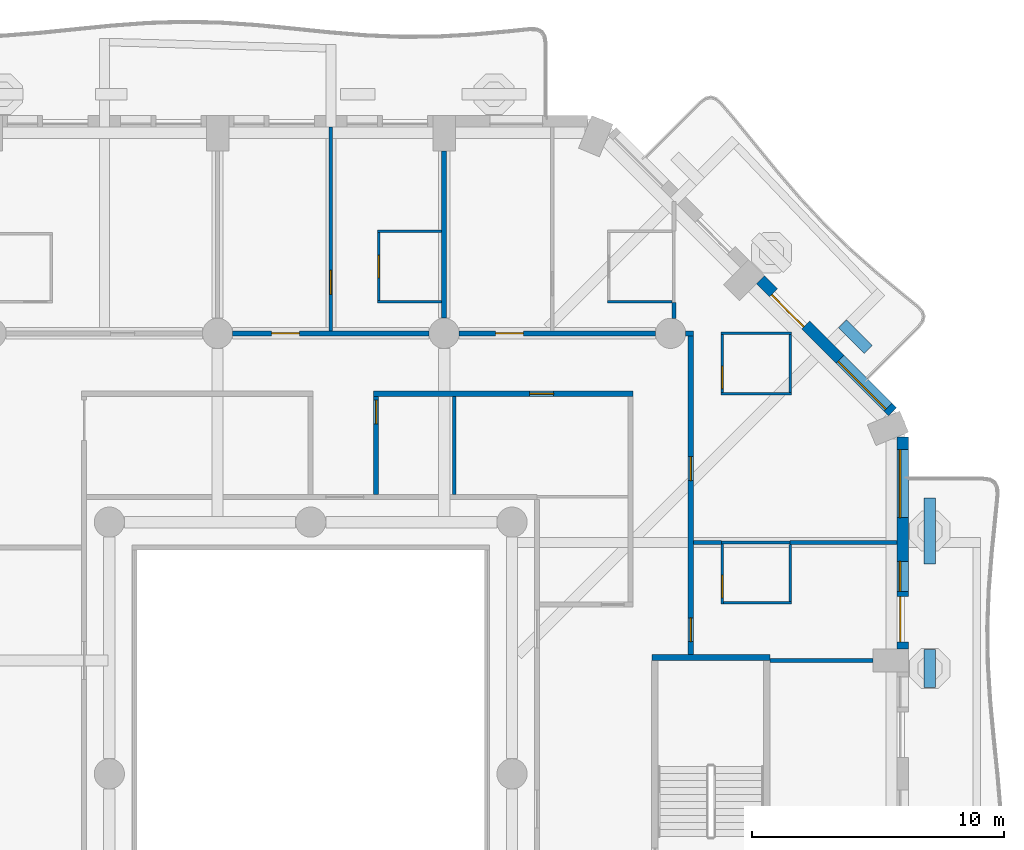
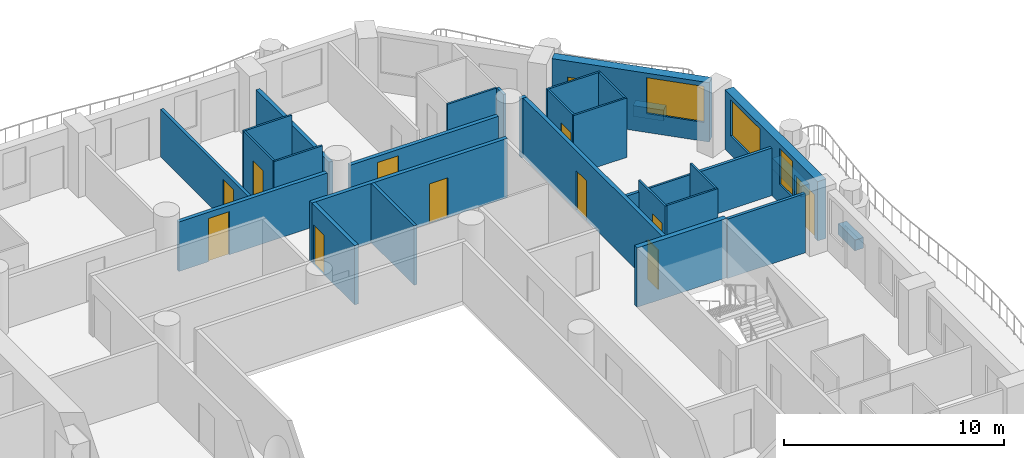
# One storey, part 9 of 20: 31 walls, 12 doors, 3 windows, 15 openings.
"""IFC4 building model written with IfcOpenShell, lengths in metres."""

import ifcopenshell
import ifcopenshell.guid

model = None  # the IFC model being written
_history = None  # IfcOwnerHistory: only IFC2X3 demands one
_inside = {}  # id of a spatial element -> (the spatial element, [elements in it])
_under = {}  # id of a project, library or spatial element -> (it, [spatial elements below it])
_declared = {}  # id of a project -> (the project, [libraries it declares])
_typed = {}  # id of a type object -> (the type object, [elements of that type])
_made_of = {}  # id of a material, layer set ... -> (it, [elements and type objects made of it])


def new_model(schema):
    """Start an empty IFC model of exactly this schema.

    Asked for "IFC4X3", IfcOpenShell would pick the latest addendum, in which some entities
    have other attributes; the version numbers below select the first issue.
    IFC2X3 requires an IfcOwnerHistory on every rooted entity: one is made here for all.
    """
    global model, _history
    if schema == "IFC4X3":
        model = ifcopenshell.file(schema_version=(4, 3, 0, 0))
    else:
        model = ifcopenshell.file(schema=schema)
    _inside.clear()
    _under.clear()
    _declared.clear()
    _typed.clear()
    _made_of.clear()
    _history = None
    if model.schema == "IFC2X3":
        org = make("IfcOrganization", Name="unknown")
        user = make(
            "IfcPersonAndOrganization",
            ThePerson=make("IfcPerson", FamilyName="unknown"),
            TheOrganization=org,
        )
        app = make(
            "IfcApplication",
            ApplicationDeveloper=org,
            Version="unknown",
            ApplicationFullName="unknown",
            ApplicationIdentifier="unknown",
        )
        _history = make(
            "IfcOwnerHistory",
            OwningUser=user,
            OwningApplication=app,
            ChangeAction="ADDED",
            CreationDate=0,
        )
    return model


def make(cls, **values):
    """One entity of the class cls with the attributes given. An attribute that is None is left unset."""
    return model.create_entity(
        cls, **{name: value for name, value in values.items() if value is not None}
    )


def rooted(cls, **values):
    """An entity with a GlobalId (a new one), such as an element, a storey or a relation."""
    return make(cls, GlobalId=ifcopenshell.guid.new(), OwnerHistory=_history, **values)


def si_unit(unit_type, name, prefix=None):
    """IfcSIUnit, for example si_unit("LENGTHUNIT", "METRE", prefix="MILLI")."""
    return make("IfcSIUnit", UnitType=unit_type, Prefix=prefix, Name=name)


def assignment(units):
    """IfcUnitAssignment: the units of a project."""
    return None if units is None else make("IfcUnitAssignment", Units=units)


def point(xyz):
    """IfcCartesianPoint."""
    return None if xyz is None else make("IfcCartesianPoint", Coordinates=xyz)


def direction(xyz):
    """IfcDirection."""
    return None if xyz is None else make("IfcDirection", DirectionRatios=xyz)


def frame(location, z_axis=None, x_axis=None):
    """IfcAxis2Placement3D, a coordinate frame: its origin and axes. An axis left out is left unset."""
    return make(
        "IfcAxis2Placement3D",
        Location=point(location),
        Axis=direction(z_axis),
        RefDirection=direction(x_axis),
    )


def frame_2d(location, x_axis=None):
    """IfcAxis2Placement2D, a coordinate frame in the plane: its origin and x axis."""
    return make(
        "IfcAxis2Placement2D", Location=point(location), RefDirection=direction(x_axis)
    )


def origin():
    """The frame at (0, 0, 0) with its axes left unset."""
    return frame((0.0, 0.0, 0.0))


def place(relative_to, where):
    """IfcLocalPlacement: puts the frame where relative to a parent placement (None: the world)."""
    return make(
        "IfcLocalPlacement", PlacementRelTo=relative_to, RelativePlacement=where
    )


def context(
    kind, dimensions, precision=None, world=None, true_north=None, identifier=None
):
    """IfcGeometricRepresentationContext, for example the 3D "Model" context."""
    return make(
        "IfcGeometricRepresentationContext",
        ContextIdentifier=identifier,
        ContextType=kind,
        CoordinateSpaceDimension=dimensions,
        Precision=precision,
        WorldCoordinateSystem=world,
        TrueNorth=true_north,
    )


def subcontext(parent, identifier, kind, view, scale=None):
    """IfcGeometricRepresentationSubContext, for example "Body" below "Model"."""
    return make(
        "IfcGeometricRepresentationSubContext",
        ContextIdentifier=identifier,
        ContextType=kind,
        ParentContext=parent,
        TargetScale=scale,
        TargetView=view,
    )


def project(units=None, contexts=None):
    """IfcProject with its units and contexts."""
    return rooted(
        "IfcProject",
        Name="project",
        RepresentationContexts=contexts,
        UnitsInContext=assignment(units),
    )


def spatial(cls, under=None, at=None, **own):
    """A site, building, storey or space (cls), placed at a placement, below another one or the project."""
    s = rooted(cls, ObjectPlacement=at, **own)
    if under is not None:
        _under.setdefault(under.id(), (under, []))[1].append(s)
    return s


def profile(cls, at=None, kind="AREA", **sizes):
    """A parametric profile (cls). Its sizes go by their IFC names, for example OverallWidth=200.0."""
    return make(cls, ProfileType=kind, Position=at, **sizes)


def rectangle(**sizes):
    """IfcRectangleProfileDef."""
    return profile("IfcRectangleProfileDef", **sizes)


def extrude(swept, where, along, depth):
    """IfcExtrudedAreaSolid: the profile swept, set in the frame where, extruded along a direction by depth."""
    return make(
        "IfcExtrudedAreaSolid",
        SweptArea=swept,
        Position=where,
        ExtrudedDirection=direction(along),
        Depth=depth,
    )


def shape(context_of_items, identifier, shape_type, items):
    """IfcShapeRepresentation: the items that make up one representation, for example the "Body"."""
    return make(
        "IfcShapeRepresentation",
        ContextOfItems=context_of_items,
        RepresentationIdentifier=identifier,
        RepresentationType=shape_type,
        Items=items,
    )


def material(Name=None, Category=None):
    """IfcMaterial."""
    return make("IfcMaterial", Name=Name, Category=Category)


def layer(
    of_material, thickness, ventilated=None, Name=None, Category=None, Priority=None
):
    """IfcMaterialLayer: one layer of a wall or slab, of a material (None: an air gap)."""
    return make(
        "IfcMaterialLayer",
        Material=of_material,
        LayerThickness=thickness,
        IsVentilated=ventilated,
        Name=Name,
        Category=Category,
        Priority=Priority,
    )


def layer_set(layers, Name=None):
    """IfcMaterialLayerSet."""
    return make("IfcMaterialLayerSet", MaterialLayers=layers, LayerSetName=Name)


def made_of(thing, what):
    """Note that an element or type object is made of a material, layer set ...; save() writes the relation."""
    if what is not None:
        _made_of.setdefault(what.id(), (what, []))[1].append(thing)
    return thing


def type_object(cls, material=None, **own):
    """A type object (cls), such as IfcWallType, which elements share."""
    return made_of(rooted(cls, **own), material)


def element(
    cls,
    number,
    at=None,
    inside=None,
    cuts=None,
    type_object=None,
    material=None,
    context=None,
    identifier="Body",
    shape_type=None,
    held_by="IfcProductDefinitionShape",
    body=None,
    shapes=None,
    **own,
):
    """One element of the class cls, such as IfcWall. Its Tag is "e" and its number.

    at: its placement. inside: the storey or other place that contains it. cuts: it is an
    opening in that element (IfcRelVoidsElement). A single representation is given by context,
    identifier, shape_type and body (its items); several are given by shapes. held_by: the class
    of the entity that holds the representations. save() writes the other relations.
    """
    e = rooted(cls, Tag="e%d" % number, ObjectPlacement=at, **own)
    if body is not None:
        shapes = [shape(context, identifier, shape_type, body)]
    if shapes is not None:
        e.Representation = make(held_by, Representations=shapes)
    if inside is not None:
        _inside.setdefault(inside.id(), (inside, []))[1].append(e)
    if cuts is not None:
        rooted(
            "IfcRelVoidsElement", RelatingBuildingElement=cuts, RelatedOpeningElement=e
        )
    if type_object is not None:
        _typed.setdefault(type_object.id(), (type_object, []))[1].append(e)
    return made_of(e, material)


def fill(opening, filler):
    """IfcRelFillsElement: the door or window that sits in an opening."""
    return rooted(
        "IfcRelFillsElement",
        RelatingOpeningElement=opening,
        RelatedBuildingElement=filler,
    )


def aggregate(whole, parts):
    """IfcRelAggregates: a whole, such as a stair, and the parts it consists of."""
    return rooted("IfcRelAggregates", RelatingObject=whole, RelatedObjects=parts)


def save(model, path):
    """Write the relations noted so far, then the file.

    IfcRelAggregates (storeys below a building ...), IfcRelContainedInSpatialStructure (elements
    in a storey), IfcRelDefinesByType, IfcRelAssociatesMaterial and IfcRelDeclares: one each for
    every whole, place, type object, material and project.
    """
    for whole, parts in _under.values():
        aggregate(whole, parts)
    for where, things in _inside.values():
        rooted(
            "IfcRelContainedInSpatialStructure",
            RelatedElements=things,
            RelatingStructure=where,
        )
    for kind, things in _typed.values():
        rooted("IfcRelDefinesByType", RelatedObjects=things, RelatingType=kind)
    for what, things in _made_of.values():
        rooted("IfcRelAssociatesMaterial", RelatedObjects=things, RelatingMaterial=what)
    for by, libraries in _declared.values():
        rooted("IfcRelDeclares", RelatingContext=by, RelatedDefinitions=libraries)
    model.write(path)


model = new_model("IFC4")

# Units and contexts
model_context = context("Model", 3, precision=1e-05, world=origin(), true_north=direction((0.0, 1.0)))
body_context = subcontext(model_context, "Body", "Model", "MODEL_VIEW")
ifc_project = project(units=[si_unit("LENGTHUNIT", "METRE"), si_unit("AREAUNIT", "SQUARE_METRE"), si_unit("VOLUMEUNIT", "CUBIC_METRE"), si_unit("PLANEANGLEUNIT", "RADIAN"), si_unit("MASSUNIT", "GRAM", prefix="KILO")], contexts=[model_context])

# Site, building, storey
site_placement = place(None, origin())
site = spatial("IfcSite", under=ifc_project, at=site_placement, CompositionType="ELEMENT")
building_placement = place(site_placement, origin())
building = spatial("IfcBuilding", under=site, at=building_placement, Name="Cypress Arch Tower", CompositionType="ELEMENT")
storey_placement = place(building_placement, frame((0.0, 0.0, 80.699951171875)))
storey = spatial("IfcBuildingStorey", under=building, at=storey_placement, Name="L14", CompositionType="ELEMENT", Elevation=80.699951171875)

# Walls
ifc_material_1 = material(Name="Concrete C40/50, waterproofed", Category="concrete")
ifc_layer_1 = layer(ifc_material_1, 0.449951171875)
ifc_layer_set_1 = layer_set([ifc_layer_1], Name="Balcony planter wall PW450")
wall_type_1 = type_object("IfcWallType", Name="Balcony planter wall PW450", PredefinedType="SOLIDWALL", material=ifc_layer_set_1)
wall_1_placement = place(storey_placement, frame((25.60009765625, 3.42138671875, 0.0), z_axis=(0.0, 0.0, 1.0), x_axis=(0.0, 1.0, 0.0)))
element("IfcWall", 1, at=wall_1_placement, inside=storey, type_object=wall_type_1, Name="Balcony planter wall L14-A06.2", PredefinedType="SOLIDWALL", context=body_context, shape_type="SweptSolid", body=[
    extrude(rectangle(XDim=1.5224609375, YDim=0.449951171875, at=frame_2d((0.76123046875, 0.0))), origin(), (0.0, 0.0, 1.0), 0.60009765625),
])
wall_2_placement = place(storey_placement, frame((25.60009765625, 8.335693359375, 0.0), z_axis=(0.0, 0.0, 1.0), x_axis=(0.0, 1.0, 0.0)))
element("IfcWall", 2, at=wall_2_placement, inside=storey, type_object=wall_type_1, Name="Balcony planter wall L14-A06.3", PredefinedType="SOLIDWALL", context=body_context, shape_type="SweptSolid", body=[
    extrude(rectangle(XDim=2.6142578125, YDim=0.449951171875, at=frame_2d((1.30712890625, 0.0))), origin(), (0.0, 0.0, 1.0), 0.60009765625),
])
wall_3_placement = place(storey_placement, frame((23.150390625, 16.86376953125, 0.0), z_axis=(0.0, 0.0, 1.0), x_axis=(-0.707106781187, 0.707106781187, 0.0)))
element("IfcWall", 3, at=wall_3_placement, inside=storey, type_object=wall_type_1, Name="Balcony planter wall L14-A07.1", PredefinedType="SOLIDWALL", context=body_context, shape_type="SweptSolid", body=[
    extrude(rectangle(XDim=1.44482421875, YDim=0.449951171875, at=frame_2d((0.722412109375, 0.0))), origin(), (0.0, 0.0, 1.0), 0.60009765625),
])

# Wall, openings, door, windows
ifc_material_2 = material(Name="Brick (red buff blend)", Category="masonry")
ifc_layer_2 = layer(ifc_material_2, 0.449951171875)
ifc_layer_set_2 = layer_set([ifc_layer_2], Name="Brick pier and spandrel wall BW450")
wall_type_2 = type_object("IfcWallType", Name="Brick pier and spandrel wall BW450", PredefinedType="SOLIDWALL", material=ifc_layer_set_2)
wall_4_placement = place(storey_placement, frame((24.52490234375, 4.949951171875, 0.0), z_axis=(0.0, 0.0, 1.0), x_axis=(0.0, 1.0, 0.0)))
wall_4 = element("IfcWall", 4, at=wall_4_placement, inside=storey, type_object=wall_type_2, Name="Brick wall L14 A06.3", PredefinedType="SOLIDWALL", context=body_context, shape_type="SweptSolid", body=[
    extrude(rectangle(XDim=8.438720703125, YDim=0.449951171875, at=frame_2d((4.21923828125, 0.0))), origin(), (0.0, 0.0, 1.0), 3.300048828125),
])
opening_1_placement = place(wall_4_placement, frame((0.2939453125, 0.0, 0.0)))
opening_1 = element("IfcOpeningElement", 5, at=opening_1_placement, cuts=wall_4, Name="Opening D-L14-A06.3.1", PredefinedType="OPENING", context=body_context, shape_type="SweptSolid", body=[
    extrude(rectangle(XDim=1.800048828125, YDim=2.39990234375, at=frame_2d((0.89990234375, 1.199951171875))), frame((0.0, 0.23486328125, 0.0), z_axis=(0.0, -1.0, 0.0), x_axis=(1.0, 0.0, 0.0)), (0.0, 0.0, 1.0), 0.469970703125),
])
opening_2_placement = place(wall_4_placement, frame((2.2939453125, 0.0, 1.050048828125)))
opening_2 = element("IfcOpeningElement", 6, at=opening_2_placement, cuts=wall_4, Name="Opening W120HD", PredefinedType="OPENING", context=body_context, shape_type="SweptSolid", body=[
    extrude(rectangle(XDim=1.199951171875, YDim=2.0, at=frame_2d((0.60009765625, 1.0))), frame((0.0, 0.23486328125, 0.0), z_axis=(0.0, -1.0, 0.0), x_axis=(1.0, 0.0, 0.0)), (0.0, 0.0, 1.0), 0.469970703125),
])
opening_3_placement = place(wall_4_placement, frame((5.231689453125, 0.0, 1.050048828125)))
opening_3 = element("IfcOpeningElement", 7, at=opening_3_placement, cuts=wall_4, Name="Opening W270HD", PredefinedType="OPENING", context=body_context, shape_type="SweptSolid", body=[
    extrude(rectangle(XDim=2.699951171875, YDim=2.0, at=frame_2d((1.35009765625, 1.0))), frame((0.0, 0.23486328125, 0.0), z_axis=(0.0, -1.0, 0.0), x_axis=(1.0, 0.0, 0.0)), (0.0, 0.0, 1.0), 0.469970703125),
])
ifc_material_3 = material(Name="Anodised aluminium, bronze finish, laminated low-emissivity double glazing, large-missile impact rated", Category="aluminium")
door_type_1 = type_object("IfcDoorType", Name="Balcony sliding door 1800x2400", OperationType="SLIDING_TO_LEFT", PredefinedType="DOOR", material=ifc_material_3)
door_1_placement = place(opening_1_placement, origin())
door_1 = element("IfcDoor", 8, at=door_1_placement, inside=storey, type_object=door_type_1, Name="Balcony door L14 A06.3.1", OperationType="SLIDING_TO_LEFT", OverallHeight=2.39990234375, OverallWidth=1.800048828125, PredefinedType="DOOR", context=body_context, shape_type="SweptSolid", body=[
    extrude(rectangle(XDim=1.800048828125, YDim=2.39990234375, at=frame_2d((0.89990234375, 1.199951171875))), frame((0.0, 0.1298828125, 0.0), z_axis=(0.0, -1.0, 0.0), x_axis=(1.0, 0.0, 0.0)), (0.0, 0.0, 1.0), 0.050048828125),
])
fill(opening_1, door_1)
ifc_material_4 = material(Name="Anodised aluminium, bronze finish, laminated low-emissivity double glazing, large-missile impact rated", Category="aluminium")
window_type_1 = type_object("IfcWindowType", Name="Window Hotel 1200x2000 debris-rated", PartitioningType="SINGLE_PANEL", PredefinedType="WINDOW", material=ifc_material_4)
window_1_placement = place(opening_2_placement, origin())
window_1 = element("IfcWindow", 9, at=window_1_placement, inside=storey, type_object=window_type_1, Name="Window L14 A06.3.1", OverallHeight=2.0, OverallWidth=1.199951171875, PartitioningType="SINGLE_PANEL", PredefinedType="WINDOW", context=body_context, shape_type="SweptSolid", body=[
    extrude(rectangle(XDim=1.199951171875, YDim=2.0, at=frame_2d((0.60009765625, 1.0))), frame((0.0, 0.135009765625, 0.0), z_axis=(0.0, -1.0, 0.0), x_axis=(1.0, 0.0, 0.0)), (0.0, 0.0, 1.0), 0.06005859375),
])
fill(opening_2, window_1)
ifc_material_5 = material(Name="Anodised aluminium, bronze finish, laminated low-emissivity double glazing, large-missile impact rated", Category="aluminium")
window_type_2 = type_object("IfcWindowType", Name="Window Hotel 2700x2000 debris-rated", PartitioningType="SINGLE_PANEL", PredefinedType="WINDOW", material=ifc_material_5)
window_2_placement = place(opening_3_placement, origin())
window_2 = element("IfcWindow", 10, at=window_2_placement, inside=storey, type_object=window_type_2, Name="Window L14 A06.3.2", OverallHeight=2.0, OverallWidth=2.699951171875, PartitioningType="SINGLE_PANEL", PredefinedType="WINDOW", context=body_context, shape_type="SweptSolid", body=[
    extrude(rectangle(XDim=2.699951171875, YDim=2.0, at=frame_2d((1.35009765625, 1.0))), frame((0.0, 0.135009765625, 0.0), z_axis=(0.0, -1.0, 0.0), x_axis=(1.0, 0.0, 0.0)), (0.0, 0.0, 1.0), 0.06005859375),
])
fill(opening_3, window_2)

# Wall, openings, door, window
wall_5_placement = place(storey_placement, frame((24.11474609375, 14.379150390625, 0.0), z_axis=(0.0, 0.0, 1.0), x_axis=(-0.707106781187, 0.707106781187, 0.0)))
wall_5 = element("IfcWall", 11, at=wall_5_placement, inside=storey, type_object=wall_type_2, Name="Brick wall L14 A07.0", PredefinedType="SOLIDWALL", context=body_context, shape_type="SweptSolid", body=[
    extrude(rectangle(XDim=7.423828125, YDim=0.449951171875, at=frame_2d((3.7119140625, 0.0))), origin(), (0.0, 0.0, 1.0), 3.300048828125),
])
opening_4_placement = place(wall_5_placement, frame((0.253173828125, 0.0, 1.050048828125)))
opening_4 = element("IfcOpeningElement", 12, at=opening_4_placement, cuts=wall_5, Name="Opening W270HD", PredefinedType="OPENING", context=body_context, shape_type="SweptSolid", body=[
    extrude(rectangle(XDim=2.699951171875, YDim=2.0, at=frame_2d((1.35009765625, 1.0))), frame((0.0, 0.23486328125, 0.0), z_axis=(0.0, -1.0, 0.0), x_axis=(1.0, 0.0, 0.0)), (0.0, 0.0, 1.0), 0.469970703125),
])
opening_5_placement = place(wall_5_placement, frame((4.8837890625, 0.0, 0.0)))
opening_5 = element("IfcOpeningElement", 13, at=opening_5_placement, cuts=wall_5, Name="Opening D-L14-A07.0.2", PredefinedType="OPENING", context=body_context, shape_type="SweptSolid", body=[
    extrude(rectangle(XDim=1.800048828125, YDim=2.39990234375, at=frame_2d((0.89990234375, 1.199951171875))), frame((0.0, 0.23486328125, 0.0), z_axis=(0.0, -1.0, 0.0), x_axis=(1.0, 0.0, 0.0)), (0.0, 0.0, 1.0), 0.469970703125),
])
door_2_placement = place(opening_5_placement, origin())
door_2 = element("IfcDoor", 14, at=door_2_placement, inside=storey, type_object=door_type_1, Name="Balcony door L14 A07.0.2", OperationType="SLIDING_TO_LEFT", OverallHeight=2.39990234375, OverallWidth=1.800048828125, PredefinedType="DOOR", context=body_context, shape_type="SweptSolid", body=[
    extrude(rectangle(XDim=1.800048828125, YDim=2.39990234375, at=frame_2d((0.89990234375, 1.199951171875))), frame((0.0, 0.1298828125, 0.0), z_axis=(0.0, -1.0, 0.0), x_axis=(1.0, 0.0, 0.0)), (0.0, 0.0, 1.0), 0.050048828125),
])
fill(opening_5, door_2)
window_3_placement = place(opening_4_placement, origin())
window_3 = element("IfcWindow", 15, at=window_3_placement, inside=storey, type_object=window_type_2, Name="Window L14 A07.0.1", OverallHeight=2.0, OverallWidth=2.699951171875, PartitioningType="SINGLE_PANEL", PredefinedType="WINDOW", context=body_context, shape_type="SweptSolid", body=[
    extrude(rectangle(XDim=2.699951171875, YDim=2.0, at=frame_2d((1.35009765625, 1.0))), frame((0.0, 0.135009765625, 0.0), z_axis=(0.0, -1.0, 0.0), x_axis=(1.0, 0.0, 0.0)), (0.0, 0.0, 1.0), 0.06005859375),
])
fill(opening_4, window_3)

# Wall, opening, door
ifc_material_6 = material(Name="Concrete blockwork, plastered, rated", Category="masonry")
ifc_layer_3 = layer(ifc_material_6, 0.199951171875)
ifc_layer_set_3 = layer_set([ifc_layer_3], Name="Corridor wall FW200")
wall_type_3 = type_object("IfcWallType", Name="Corridor wall FW200", PredefinedType="PARTITIONING", material=ifc_layer_set_3)
wall_6_placement = place(storey_placement, frame((-2.10009765625, 17.5, 0.0), z_axis=(0.0, 0.0, 1.0), x_axis=(1.0, 0.0, 0.0)))
wall_6 = element("IfcWall", 16, at=wall_6_placement, inside=storey, type_object=wall_type_3, Name="Corridor wall", PredefinedType="PARTITIONING", context=body_context, shape_type="SweptSolid", body=[
    extrude(rectangle(XDim=7.800048828125, YDim=0.199951171875, at=frame_2d((3.89990234375, 0.0))), origin(), (0.0, 0.0, 1.0), 2.75),
])
opening_6_placement = place(wall_6_placement, frame((1.550048828125, 0.0, 0.0)))
opening_6 = element("IfcOpeningElement", 17, at=opening_6_placement, cuts=wall_6, Name="Opening D01", PredefinedType="OPENING", context=body_context, shape_type="SweptSolid", body=[
    extrude(rectangle(XDim=1.10009765625, YDim=2.39990234375, at=frame_2d((0.550048828125, 1.199951171875))), frame((0.0, 0.10986328125, 0.0), z_axis=(0.0, -1.0, 0.0), x_axis=(1.0, 0.0, 0.0)), (0.0, 0.0, 1.0), 0.219970703125),
])
ifc_material_7 = material(Name="Timber flush door, fire resisting, self-closing", Category="wood")
door_type_2 = type_object("IfcDoorType", Name="Unit entrance door D01 1100x2400", OperationType="SINGLE_SWING_LEFT", PredefinedType="DOOR", material=ifc_material_7)
door_3_placement = place(opening_6_placement, origin())
door_3 = element("IfcDoor", 18, at=door_3_placement, inside=storey, type_object=door_type_2, Name="Unit entrance door", OperationType="SINGLE_SWING_RIGHT", OverallHeight=2.39990234375, OverallWidth=1.10009765625, PredefinedType="DOOR", context=body_context, shape_type="SweptSolid", body=[
    extrude(rectangle(XDim=1.10009765625, YDim=2.39990234375, at=frame_2d((0.550048828125, 1.199951171875))), frame((0.0, 0.02490234375, 0.0), z_axis=(0.0, -1.0, 0.0), x_axis=(1.0, 0.0, 0.0)), (0.0, 0.0, 1.0), 0.050048828125),
])
fill(opening_6, door_3)

wall_7_placement = place(storey_placement, frame((6.89990234375, 17.5, 0.0), z_axis=(0.0, 0.0, 1.0), x_axis=(1.0, 0.0, 0.0)))
wall_7 = element("IfcWall", 19, at=wall_7_placement, inside=storey, type_object=wall_type_3, Name="Corridor wall", PredefinedType="PARTITIONING", context=body_context, shape_type="SweptSolid", body=[
    extrude(rectangle(XDim=7.800048828125, YDim=0.199951171875, at=frame_2d((3.89990234375, 0.0))), origin(), (0.0, 0.0, 1.0), 2.75),
])
opening_7_placement = place(wall_7_placement, frame((1.449951171875, 0.0, 0.0)))
opening_7 = element("IfcOpeningElement", 20, at=opening_7_placement, cuts=wall_7, Name="Opening D01", PredefinedType="OPENING", context=body_context, shape_type="SweptSolid", body=[
    extrude(rectangle(XDim=1.10009765625, YDim=2.39990234375, at=frame_2d((0.550048828125, 1.199951171875))), frame((0.0, 0.10986328125, 0.0), z_axis=(0.0, -1.0, 0.0), x_axis=(1.0, 0.0, 0.0)), (0.0, 0.0, 1.0), 0.219970703125),
])
door_4_placement = place(opening_7_placement, origin())
door_4 = element("IfcDoor", 21, at=door_4_placement, inside=storey, type_object=door_type_2, Name="Unit entrance door", OperationType="SINGLE_SWING_RIGHT", OverallHeight=2.39990234375, OverallWidth=1.10009765625, PredefinedType="DOOR", context=body_context, shape_type="SweptSolid", body=[
    extrude(rectangle(XDim=1.10009765625, YDim=2.39990234375, at=frame_2d((0.550048828125, 1.199951171875))), frame((0.0, 0.02490234375, 0.0), z_axis=(0.0, -1.0, 0.0), x_axis=(1.0, 0.0, 0.0)), (0.0, 0.0, 1.0), 0.050048828125),
])
fill(opening_7, door_4)

# Wall
wall_8_placement = place(storey_placement, frame((15.89990234375, 17.5, 0.0), z_axis=(0.0, 0.0, 1.0), x_axis=(1.0, 0.0, 0.0)))
element("IfcWall", 22, at=wall_8_placement, inside=storey, type_object=wall_type_3, Name="Corridor wall", PredefinedType="PARTITIONING", context=body_context, shape_type="SweptSolid", body=[
    extrude(rectangle(XDim=0.300048828125, YDim=0.199951171875, at=frame_2d((0.14990234375, 0.0))), origin(), (0.0, 0.0, 1.0), 3.300048828125),
])

# Wall, opening, door
wall_9_placement = place(storey_placement, frame((3.60009765625, 11.10009765625, 0.0), z_axis=(0.0, 0.0, 1.0), x_axis=(0.0, 1.0, 0.0)))
wall_9 = element("IfcWall", 23, at=wall_9_placement, inside=storey, type_object=wall_type_3, Name="Corridor wall", PredefinedType="PARTITIONING", context=body_context, shape_type="SweptSolid", body=[
    extrude(rectangle(XDim=3.89990234375, YDim=0.199951171875, at=frame_2d((1.949951171875, 0.0))), origin(), (0.0, 0.0, 1.0), 3.300048828125),
])
opening_8_placement = place(wall_9_placement, frame((2.800048828125, 0.0, 0.0)))
opening_8 = element("IfcOpeningElement", 24, at=opening_8_placement, cuts=wall_9, Name="Opening D02", PredefinedType="OPENING", context=body_context, shape_type="SweptSolid", body=[
    extrude(rectangle(XDim=0.949951171875, YDim=2.199951171875, at=frame_2d((0.47509765625, 1.10009765625))), frame((0.0, 0.10986328125, 0.0), z_axis=(0.0, -1.0, 0.0), x_axis=(1.0, 0.0, 0.0)), (0.0, 0.0, 1.0), 0.219970703125),
])
ifc_material_8 = material(Name="Timber flush door, fire resisting", Category="wood")
door_type_3 = type_object("IfcDoorType", Name="Room door D02 950x2200", OperationType="SINGLE_SWING_LEFT", PredefinedType="DOOR", material=ifc_material_8)
door_5_placement = place(opening_8_placement, origin())
door_5 = element("IfcDoor", 25, at=door_5_placement, inside=storey, type_object=door_type_3, Name="Room door", OperationType="SINGLE_SWING_LEFT", OverallHeight=2.199951171875, OverallWidth=0.949951171875, PredefinedType="DOOR", context=body_context, shape_type="SweptSolid", body=[
    extrude(rectangle(XDim=0.949951171875, YDim=2.199951171875, at=frame_2d((0.47509765625, 1.10009765625))), frame((0.0, 0.02490234375, 0.0), z_axis=(0.0, -1.0, 0.0), x_axis=(1.0, 0.0, 0.0)), (0.0, 0.0, 1.0), 0.050048828125),
])
fill(opening_8, door_5)

wall_10_placement = place(storey_placement, frame((3.5, 15.10009765625, 0.0), z_axis=(0.0, 0.0, 1.0), x_axis=(1.0, 0.0, 0.0)))
wall_10 = element("IfcWall", 26, at=wall_10_placement, inside=storey, type_object=wall_type_3, Name="Corridor wall", PredefinedType="PARTITIONING", context=body_context, shape_type="SweptSolid", body=[
    extrude(rectangle(XDim=10.300048828125, YDim=0.199951171875, at=frame_2d((5.14990234375, 0.0))), origin(), (0.0, 0.0, 1.0), 3.300048828125),
])
opening_9_placement = place(wall_10_placement, frame((6.199951171875, 0.0, 0.0)))
opening_9 = element("IfcOpeningElement", 27, at=opening_9_placement, cuts=wall_10, Name="Opening D02", PredefinedType="OPENING", context=body_context, shape_type="SweptSolid", body=[
    extrude(rectangle(XDim=0.949951171875, YDim=2.199951171875, at=frame_2d((0.47509765625, 1.10009765625))), frame((0.0, 0.10986328125, 0.0), z_axis=(0.0, -1.0, 0.0), x_axis=(1.0, 0.0, 0.0)), (0.0, 0.0, 1.0), 0.219970703125),
])
door_6_placement = place(opening_9_placement, origin())
door_6 = element("IfcDoor", 28, at=door_6_placement, inside=storey, type_object=door_type_3, Name="Room door", OperationType="SINGLE_SWING_RIGHT", OverallHeight=2.199951171875, OverallWidth=0.949951171875, PredefinedType="DOOR", context=body_context, shape_type="SweptSolid", body=[
    extrude(rectangle(XDim=0.949951171875, YDim=2.199951171875, at=frame_2d((0.47509765625, 1.10009765625))), frame((0.0, 0.02490234375, 0.0), z_axis=(0.0, -1.0, 0.0), x_axis=(1.0, 0.0, 0.0)), (0.0, 0.0, 1.0), 0.050048828125),
])
fill(opening_9, door_6)

# Wall, openings, doors
wall_11_placement = place(storey_placement, frame((16.10009765625, 4.75, 0.0), z_axis=(0.0, 0.0, 1.0), x_axis=(0.0, 1.0, 0.0)))
wall_11 = element("IfcWall", 29, at=wall_11_placement, inside=storey, type_object=wall_type_3, Name="Corridor wall", PredefinedType="PARTITIONING", context=body_context, shape_type="SweptSolid", body=[
    extrude(rectangle(XDim=12.64990234375, YDim=0.199951171875, at=frame_2d((6.324951171875, 0.0))), origin(), (0.0, 0.0, 1.0), 3.300048828125),
])
opening_10_placement = place(wall_11_placement, frame((0.5, 0.0, 0.0)))
opening_10 = element("IfcOpeningElement", 30, at=opening_10_placement, cuts=wall_11, Name="Opening D02", PredefinedType="OPENING", context=body_context, shape_type="SweptSolid", body=[
    extrude(rectangle(XDim=0.949951171875, YDim=2.199951171875, at=frame_2d((0.47509765625, 1.10009765625))), frame((0.0, 0.10986328125, 0.0), z_axis=(0.0, -1.0, 0.0), x_axis=(1.0, 0.0, 0.0)), (0.0, 0.0, 1.0), 0.219970703125),
])
opening_11_placement = place(wall_11_placement, frame((6.89990234375, 0.0, 0.0)))
opening_11 = element("IfcOpeningElement", 31, at=opening_11_placement, cuts=wall_11, Name="Opening D02", PredefinedType="OPENING", context=body_context, shape_type="SweptSolid", body=[
    extrude(rectangle(XDim=0.949951171875, YDim=2.199951171875, at=frame_2d((0.47509765625, 1.10009765625))), frame((0.0, 0.10986328125, 0.0), z_axis=(0.0, -1.0, 0.0), x_axis=(1.0, 0.0, 0.0)), (0.0, 0.0, 1.0), 0.219970703125),
])
door_7_placement = place(opening_10_placement, origin())
door_7 = element("IfcDoor", 32, at=door_7_placement, inside=storey, type_object=door_type_3, Name="Room door", OperationType="SINGLE_SWING_RIGHT", OverallHeight=2.199951171875, OverallWidth=0.949951171875, PredefinedType="DOOR", context=body_context, shape_type="SweptSolid", body=[
    extrude(rectangle(XDim=0.949951171875, YDim=2.199951171875, at=frame_2d((0.47509765625, 1.10009765625))), frame((0.0, 0.02490234375, 0.0), z_axis=(0.0, -1.0, 0.0), x_axis=(1.0, 0.0, 0.0)), (0.0, 0.0, 1.0), 0.050048828125),
])
fill(opening_10, door_7)
door_8_placement = place(opening_11_placement, origin())
door_8 = element("IfcDoor", 33, at=door_8_placement, inside=storey, type_object=door_type_3, Name="Room door", OperationType="SINGLE_SWING_RIGHT", OverallHeight=2.199951171875, OverallWidth=0.949951171875, PredefinedType="DOOR", context=body_context, shape_type="SweptSolid", body=[
    extrude(rectangle(XDim=0.949951171875, YDim=2.199951171875, at=frame_2d((0.47509765625, 1.10009765625))), frame((0.0, 0.02490234375, 0.0), z_axis=(0.0, -1.0, 0.0), x_axis=(1.0, 0.0, 0.0)), (0.0, 0.0, 1.0), 0.050048828125),
])
fill(opening_11, door_8)

# Wall, opening, door
ifc_material_9 = material(Name="Blockwork, plastered both sides", Category="masonry")
ifc_layer_4 = layer(ifc_material_9, 0.14990234375)
ifc_layer_set_4 = layer_set([ifc_layer_4], Name="Partition PW150")
wall_type_4 = type_object("IfcWallType", Name="Partition PW150", PredefinedType="PARTITIONING", material=ifc_layer_set_4)
wall_12_placement = place(storey_placement, frame((1.800048828125, 17.60009765625, 0.0), z_axis=(0.0, 0.0, 1.0), x_axis=(0.0, 1.0, 0.0)))
wall_12 = element("IfcWall", 34, at=wall_12_placement, inside=storey, type_object=wall_type_4, Name="Partition", PredefinedType="PARTITIONING", context=body_context, shape_type="SweptSolid", body=[
    extrude(rectangle(XDim=8.099853515625, YDim=0.14990234375, at=frame_2d((4.0498046875, 0.0))), origin(), (0.0, 0.0, 1.0), 2.650146484375),
])
opening_12_placement = place(wall_12_placement, frame((1.449951171875, 0.0, 0.0)))
opening_12 = element("IfcOpeningElement", 35, at=opening_12_placement, cuts=wall_12, Name="Opening D12", PredefinedType="OPENING", context=body_context, shape_type="SweptSolid", body=[
    extrude(rectangle(XDim=0.949951171875, YDim=2.199951171875, at=frame_2d((0.47509765625, 1.10009765625))), frame((0.0, 0.0849609375, 0.0), z_axis=(0.0, -1.0, 0.0), x_axis=(1.0, 0.0, 0.0)), (0.0, 0.0, 1.0), 0.169921875),
])
ifc_material_10 = material(Name="Timber flush door", Category="wood")
door_type_4 = type_object("IfcDoorType", Name="Room door D12 950x2200", OperationType="SINGLE_SWING_LEFT", PredefinedType="DOOR", material=ifc_material_10)
door_9_placement = place(opening_12_placement, origin())
door_9 = element("IfcDoor", 36, at=door_9_placement, inside=storey, type_object=door_type_4, Name="Room door", OperationType="SINGLE_SWING_LEFT", OverallHeight=2.199951171875, OverallWidth=0.949951171875, PredefinedType="DOOR", context=body_context, shape_type="SweptSolid", body=[
    extrude(rectangle(XDim=0.949951171875, YDim=2.199951171875, at=frame_2d((0.47509765625, 1.10009765625))), frame((0.0, 0.02490234375, 0.0), z_axis=(0.0, -1.0, 0.0), x_axis=(1.0, 0.0, 0.0)), (0.0, 0.0, 1.0), 0.050048828125),
])
fill(opening_12, door_9)

# Walls
wall_13_placement = place(storey_placement, frame((6.699951171875, 11.10009765625, 0.0), z_axis=(0.0, 0.0, 1.0), x_axis=(0.0, 1.0, 0.0)))
element("IfcWall", 37, at=wall_13_placement, inside=storey, type_object=wall_type_4, Name="Partition", PredefinedType="PARTITIONING", context=body_context, shape_type="SweptSolid", body=[
    extrude(rectangle(XDim=3.89990234375, YDim=0.14990234375, at=frame_2d((1.949951171875, 0.0))), origin(), (0.0, 0.0, 1.0), 3.300048828125),
])
wall_14_placement = place(storey_placement, frame((15.431884765625, 18.093994140625, 0.0), z_axis=(0.0, 0.0, 1.0), x_axis=(0.0, 1.0, 0.0)))
element("IfcWall", 38, at=wall_14_placement, inside=storey, type_object=wall_type_4, Name="Partition", PredefinedType="PARTITIONING", context=body_context, shape_type="SweptSolid", body=[
    extrude(rectangle(XDim=0.635986328125, YDim=0.14990234375, at=frame_2d((0.31787109375, 0.0))), origin(), (0.0, 0.0, 1.0), 3.300048828125),
])
wall_15_placement = place(storey_placement, frame((16.199951171875, 9.18994140625, 0.0), z_axis=(0.0, 0.0, 1.0), x_axis=(1.0, 0.0, 0.0)))
element("IfcWall", 39, at=wall_15_placement, inside=storey, type_object=wall_type_4, Name="Partition", PredefinedType="PARTITIONING", context=body_context, shape_type="SweptSolid", body=[
    extrude(rectangle(XDim=1.130126953125, YDim=0.14990234375, at=frame_2d((0.56494140625, 0.0))), origin(), (0.0, 0.0, 1.0), 2.650146484375),
])
wall_16_placement = place(storey_placement, frame((19.25, 4.5, 0.0), z_axis=(0.0, 0.0, 1.0), x_axis=(1.0, 0.0, 0.0)))
element("IfcWall", 40, at=wall_16_placement, inside=storey, type_object=wall_type_4, Name="Partition", PredefinedType="PARTITIONING", context=body_context, shape_type="SweptSolid", body=[
    extrude(rectangle(XDim=4.10009765625, YDim=0.14990234375, at=frame_2d((2.050048828125, 0.0))), origin(), (0.0, 0.0, 1.0), 3.300048828125),
])
wall_17_placement = place(storey_placement, frame((20.050048828125, 9.18994140625, 0.0), z_axis=(0.0, 0.0, 1.0), x_axis=(1.0, 0.0, 0.0)))
element("IfcWall", 41, at=wall_17_placement, inside=storey, type_object=wall_type_4, Name="Partition", PredefinedType="PARTITIONING", context=body_context, shape_type="SweptSolid", body=[
    extrude(rectangle(XDim=4.25, YDim=0.14990234375, at=frame_2d((2.125, 0.0))), origin(), (0.0, 0.0, 1.0), 2.650146484375),
])
ifc_material_11 = material(Name="Dense blockwork, plastered both sides, acoustic and rated", Category="masonry")
ifc_layer_5 = layer(ifc_material_11, 0.199951171875)
ifc_layer_set_5 = layer_set([ifc_layer_5], Name="Party wall PW200")
wall_type_5 = type_object("IfcWallType", Name="Party wall PW200", PredefinedType="PARTITIONING", material=ifc_layer_set_5)
wall_18_placement = place(storey_placement, frame((6.300048828125, 18.10009765625, 0.0), z_axis=(0.0, 0.0, 1.0), x_axis=(0.0, 1.0, 0.0)))
element("IfcWall", 42, at=wall_18_placement, inside=storey, type_object=wall_type_5, Name="Party wall", PredefinedType="PARTITIONING", context=body_context, shape_type="SweptSolid", body=[
    extrude(rectangle(XDim=6.64990234375, YDim=0.199951171875, at=frame_2d((3.324951171875, 0.0))), origin(), (0.0, 0.0, 1.0), 2.75),
])
ifc_material_12 = material(Name="Concrete C50/60", Category="concrete")
ifc_layer_6 = layer(ifc_material_12, 0.25)
ifc_layer_set_6 = layer_set([ifc_layer_6], Name="Stair enclosure wall SW250")
wall_type_6 = type_object("IfcWallType", Name="Stair enclosure wall SW250", PredefinedType="SHEAR", material=ifc_layer_set_6)
wall_19_placement = place(storey_placement, frame((14.550048828125, 4.625, 0.0), z_axis=(0.0, 0.0, 1.0), x_axis=(1.0, 0.0, 0.0)))
element("IfcWall", 43, at=wall_19_placement, inside=storey, type_object=wall_type_6, Name="Stair enclosure wall", PredefinedType="SHEAR", context=body_context, shape_type="SweptSolid", body=[
    extrude(rectangle(XDim=4.699951171875, YDim=0.25, at=frame_2d((2.35009765625, 0.0))), origin(), (0.0, 0.0, 1.0), 3.300048828125),
])

# Wall, opening, door
ifc_material_13 = material(Name="Moisture resistant board on steel studs, tiled", Category="steel")
ifc_layer_7 = layer(ifc_material_13, 0.10009765625)
ifc_layer_set_7 = layer_set([ifc_layer_7], Name="Wet wall PW100")
wall_type_7 = type_object("IfcWallType", Name="Wet wall PW100", PredefinedType="PARTITIONING", material=ifc_layer_set_7)
wall_20_placement = place(storey_placement, frame((3.7041015625, 18.800048828125, 0.0), z_axis=(0.0, 0.0, 1.0), x_axis=(0.0, 1.0, 0.0)))
wall_20 = element("IfcWall", 44, at=wall_20_placement, inside=storey, type_object=wall_type_7, Name="Wet wall", PredefinedType="PARTITIONING", context=body_context, shape_type="SweptSolid", body=[
    extrude(rectangle(XDim=2.699951171875, YDim=0.10009765625, at=frame_2d((1.35009765625, 0.0))), origin(), (0.0, 0.0, 1.0), 3.300048828125),
])
opening_13_placement = place(wall_20_placement, frame((0.89990234375, 0.0, 0.0)))
opening_13 = element("IfcOpeningElement", 45, at=opening_13_placement, cuts=wall_20, Name="Opening D03", PredefinedType="OPENING", context=body_context, shape_type="SweptSolid", body=[
    extrude(rectangle(XDim=0.89990234375, YDim=2.199951171875, at=frame_2d((0.449951171875, 1.10009765625))), frame((0.0, 0.06005859375, 0.0), z_axis=(0.0, -1.0, 0.0), x_axis=(1.0, 0.0, 0.0)), (0.0, 0.0, 1.0), 0.1201171875),
])
ifc_material_14 = material(Name="Timber flush door, moisture resistant", Category="wood")
door_type_5 = type_object("IfcDoorType", Name="Bathroom door D03 900x2200", OperationType="SINGLE_SWING_LEFT", PredefinedType="DOOR", material=ifc_material_14)
door_10_placement = place(opening_13_placement, origin())
door_10 = element("IfcDoor", 46, at=door_10_placement, inside=storey, type_object=door_type_5, Name="Bathroom door", OperationType="SINGLE_SWING_LEFT", OverallHeight=2.199951171875, OverallWidth=0.89990234375, PredefinedType="DOOR", context=body_context, shape_type="SweptSolid", body=[
    extrude(rectangle(XDim=0.89990234375, YDim=2.199951171875, at=frame_2d((0.449951171875, 1.10009765625))), frame((0.0, 0.02490234375, 0.0), z_axis=(0.0, -1.0, 0.0), x_axis=(1.0, 0.0, 0.0)), (0.0, 0.0, 1.0), 0.050048828125),
])
fill(opening_13, door_10)

# Walls
for number, where, z_axis, x_axis, name in (
    (47, (3.654052734375, 18.75, 0.0), (0.0, 0.0, 1.0), (1.0, 0.0, 0.0), "Wet wall"),
    (48, (3.654052734375, 21.550048828125, 0.0), (0.0, 0.0, 1.0), (1.0, 0.0, 0.0), "Wet wall"),
):
    element("IfcWall", number, at=place(storey_placement, frame(where, z_axis=z_axis, x_axis=x_axis)), inside=storey, type_object=wall_type_7, Name=name, PredefinedType="PARTITIONING", context=body_context, shape_type="SweptSolid", body=[
        extrude(rectangle(XDim=2.5458984375, YDim=0.10009765625, at=frame_2d((1.27294921875, 0.0))), origin(), (0.0, 0.0, 1.0), 3.300048828125),
    ])
wall_21_placement = place(storey_placement, frame((12.785888671875, 18.75, 0.0), z_axis=(0.0, 0.0, 1.0), x_axis=(1.0, 0.0, 0.0)))
element("IfcWall", 49, at=wall_21_placement, inside=storey, type_object=wall_type_7, Name="Wet wall", PredefinedType="PARTITIONING", context=body_context, shape_type="SweptSolid", body=[
    extrude(rectangle(XDim=2.571044921875, YDim=0.10009765625, at=frame_2d((1.28564453125, 0.0))), origin(), (0.0, 0.0, 1.0), 3.300048828125),
])
wall_22_placement = place(storey_placement, frame((17.330078125, 9.18994140625, 0.0), z_axis=(0.0, 0.0, 1.0), x_axis=(1.0, 0.0, 0.0)))
element("IfcWall", 50, at=wall_22_placement, inside=storey, type_object=wall_type_7, Name="Wet wall", PredefinedType="PARTITIONING", context=body_context, shape_type="SweptSolid", body=[
    extrude(rectangle(XDim=2.719970703125, YDim=0.10009765625, at=frame_2d((1.35986328125, 0.0))), origin(), (0.0, 0.0, 1.0), 2.650146484375),
])

# Wall, opening, door
wall_23_placement = place(storey_placement, frame((17.35009765625, 9.139892578125, 0.0), z_axis=(0.0, 0.0, 1.0), x_axis=(0.000407580973, -0.999999916939, 0.0)))
wall_23 = element("IfcWall", 51, at=wall_23_placement, inside=storey, type_object=wall_type_7, Name="Wet wall", PredefinedType="PARTITIONING", context=body_context, shape_type="SweptSolid", body=[
    extrude(rectangle(XDim=2.39599609375, YDim=0.10009765625, at=frame_2d((1.197998046875, 0.0))), origin(), (0.0, 0.0, 1.0), 3.300048828125),
])
opening_14_placement = place(wall_23_placement, frame((1.25, 0.0, 0.0)))
opening_14 = element("IfcOpeningElement", 52, at=opening_14_placement, cuts=wall_23, Name="Opening D03", PredefinedType="OPENING", context=body_context, shape_type="SweptSolid", body=[
    extrude(rectangle(XDim=0.89990234375, YDim=2.199951171875, at=frame_2d((0.449951171875, 1.10009765625))), frame((0.0, 0.06005859375, 0.0), z_axis=(0.0, -1.0, 0.0), x_axis=(1.0, 0.0, 0.0)), (0.0, 0.0, 1.0), 0.1201171875),
])
door_11_placement = place(opening_14_placement, origin())
door_11 = element("IfcDoor", 53, at=door_11_placement, inside=storey, type_object=door_type_5, Name="Bathroom door", OperationType="SINGLE_SWING_RIGHT", OverallHeight=2.199951171875, OverallWidth=0.89990234375, PredefinedType="DOOR", context=body_context, shape_type="SweptSolid", body=[
    extrude(rectangle(XDim=0.89990234375, YDim=2.199951171875, at=frame_2d((0.449951171875, 1.10009765625))), frame((0.0, 0.02490234375, 0.0), z_axis=(0.0, -1.0, 0.0), x_axis=(1.0, 0.0, 0.0)), (0.0, 0.0, 1.0), 0.050048828125),
])
fill(opening_14, door_11)

wall_24_placement = place(storey_placement, frame((17.35009765625, 15.14990234375, 0.0), z_axis=(0.0, 0.0, 1.0), x_axis=(0.0, 1.0, 0.0)))
wall_24 = element("IfcWall", 54, at=wall_24_placement, inside=storey, type_object=wall_type_7, Name="Wet wall", PredefinedType="PARTITIONING", context=body_context, shape_type="SweptSolid", body=[
    extrude(rectangle(XDim=2.300048828125, YDim=0.10009765625, at=frame_2d((1.14990234375, 0.0))), origin(), (0.0, 0.0, 1.0), 3.300048828125),
])
opening_15_placement = place(wall_24_placement, frame((0.14990234375, 0.0, 0.0)))
opening_15 = element("IfcOpeningElement", 55, at=opening_15_placement, cuts=wall_24, Name="Opening D03", PredefinedType="OPENING", context=body_context, shape_type="SweptSolid", body=[
    extrude(rectangle(XDim=0.89990234375, YDim=2.199951171875, at=frame_2d((0.449951171875, 1.10009765625))), frame((0.0, 0.06005859375, 0.0), z_axis=(0.0, -1.0, 0.0), x_axis=(1.0, 0.0, 0.0)), (0.0, 0.0, 1.0), 0.1201171875),
])
door_12_placement = place(opening_15_placement, origin())
door_12 = element("IfcDoor", 56, at=door_12_placement, inside=storey, type_object=door_type_5, Name="Bathroom door", OperationType="SINGLE_SWING_RIGHT", OverallHeight=2.199951171875, OverallWidth=0.89990234375, PredefinedType="DOOR", context=body_context, shape_type="SweptSolid", body=[
    extrude(rectangle(XDim=0.89990234375, YDim=2.199951171875, at=frame_2d((0.449951171875, 1.10009765625))), frame((0.0, 0.02490234375, 0.0), z_axis=(0.0, -1.0, 0.0), x_axis=(1.0, 0.0, 0.0)), (0.0, 0.0, 1.0), 0.050048828125),
])
fill(opening_15, door_12)

# Walls
for number, where, z_axis, x_axis, name in (
    (57, (17.300048828125, 15.10009765625, 0.0), (0.0, 0.0, 1.0), (1.0, 0.0, 0.0), "Wet wall"),
    (58, (17.300048828125, 17.5, 0.0), (0.0, 0.0, 1.0), (1.0, 0.0, 0.0), "Wet wall"),
):
    element("IfcWall", number, at=place(storey_placement, frame(where, z_axis=z_axis, x_axis=x_axis)), inside=storey, type_object=wall_type_7, Name=name, PredefinedType="PARTITIONING", context=body_context, shape_type="SweptSolid", body=[
        extrude(rectangle(XDim=2.800048828125, YDim=0.10009765625, at=frame_2d((1.39990234375, 0.0))), origin(), (0.0, 0.0, 1.0), 3.300048828125),
    ])
wall_25_placement = place(storey_placement, frame((17.40087890625, 6.7939453125, 0.0), z_axis=(0.0, 0.0, 1.0), x_axis=(0.9999999346, 0.000361663629, 0.0)))
element("IfcWall", 59, at=wall_25_placement, inside=storey, type_object=wall_type_7, Name="Wet wall", PredefinedType="PARTITIONING", context=body_context, shape_type="SweptSolid", body=[
    extrude(rectangle(XDim=2.7001953125, YDim=0.10009765625, at=frame_2d((1.35009765625, 0.0))), origin(), (0.0, 0.0, 1.0), 3.300048828125),
])
wall_26_placement = place(storey_placement, frame((20.050048828125, 9.114990234375, 0.0), z_axis=(0.0, 0.0, 1.0), x_axis=(0.000430200003, -0.999999907464, 0.0)))
element("IfcWall", 60, at=wall_26_placement, inside=storey, type_object=wall_type_7, Name="Wet wall", PredefinedType="PARTITIONING", context=body_context, shape_type="SweptSolid", body=[
    extrude(rectangle(XDim=2.27001953125, YDim=0.10009765625, at=frame_2d((1.135009765625, 0.0))), origin(), (0.0, 0.0, 1.0), 3.300048828125),
])
wall_27_placement = place(storey_placement, frame((20.050048828125, 15.14990234375, 0.0), z_axis=(0.0, 0.0, 1.0), x_axis=(0.0, 1.0, 0.0)))
element("IfcWall", 61, at=wall_27_placement, inside=storey, type_object=wall_type_7, Name="Wet wall", PredefinedType="PARTITIONING", context=body_context, shape_type="SweptSolid", body=[
    extrude(rectangle(XDim=2.300048828125, YDim=0.10009765625, at=frame_2d((1.14990234375, 0.0))), origin(), (0.0, 0.0, 1.0), 3.300048828125),
])

save(model, "model.ifc")
